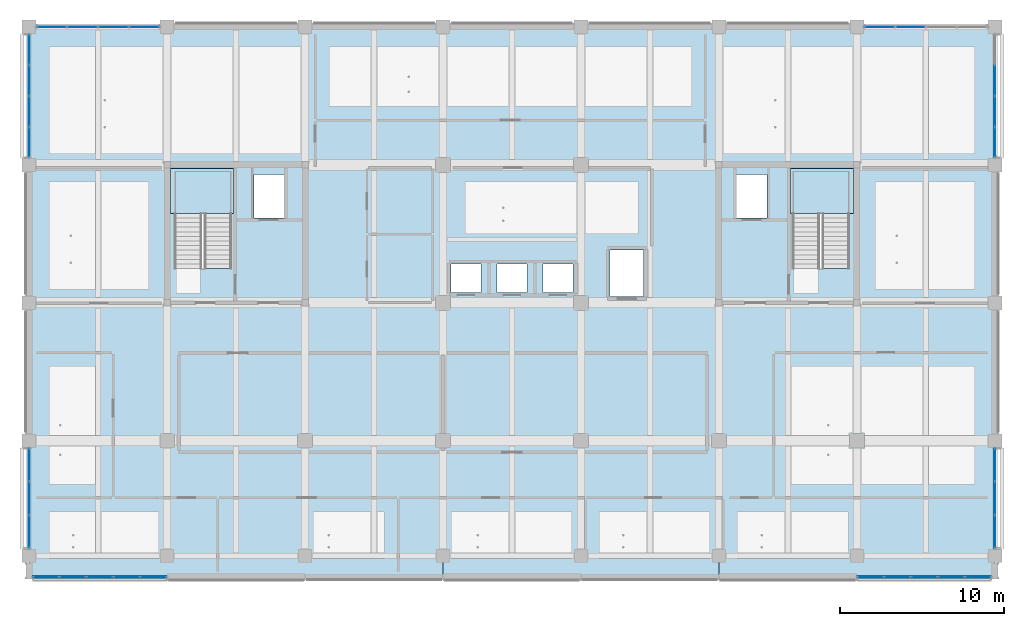
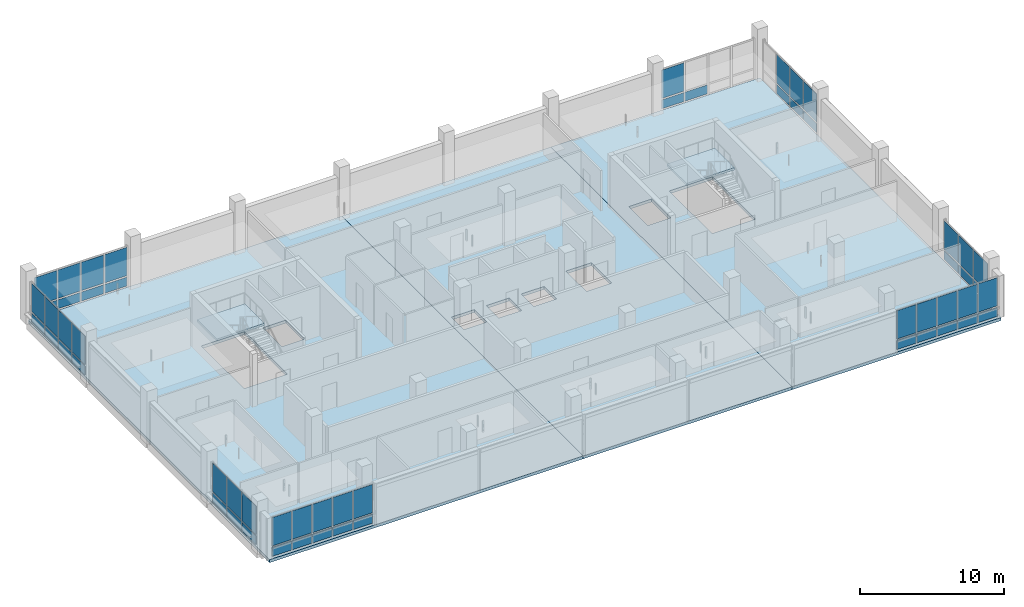
# One storey, part 10 of 36: 57 plates, 5 slabs, 10 elements without a shape of their own.
"""IFC4 building model written with IfcOpenShell, lengths in metres."""

import ifcopenshell
import ifcopenshell.guid

model = None  # the IFC model being written
_history = None  # IfcOwnerHistory: only IFC2X3 demands one
_inside = {}  # id of a spatial element -> (the spatial element, [elements in it])
_under = {}  # id of a project, library or spatial element -> (it, [spatial elements below it])
_declared = {}  # id of a project -> (the project, [libraries it declares])
_typed = {}  # id of a type object -> (the type object, [elements of that type])
_made_of = {}  # id of a material, layer set ... -> (it, [elements and type objects made of it])


def new_model(schema):
    """Start an empty IFC model of exactly this schema.

    Asked for "IFC4X3", IfcOpenShell would pick the latest addendum, in which some entities
    have other attributes; the version numbers below select the first issue.
    IFC2X3 requires an IfcOwnerHistory on every rooted entity: one is made here for all.
    """
    global model, _history
    if schema == "IFC4X3":
        model = ifcopenshell.file(schema_version=(4, 3, 0, 0))
    else:
        model = ifcopenshell.file(schema=schema)
    _inside.clear()
    _under.clear()
    _declared.clear()
    _typed.clear()
    _made_of.clear()
    _history = None
    if model.schema == "IFC2X3":
        org = make("IfcOrganization", Name="unknown")
        user = make(
            "IfcPersonAndOrganization",
            ThePerson=make("IfcPerson", FamilyName="unknown"),
            TheOrganization=org,
        )
        app = make(
            "IfcApplication",
            ApplicationDeveloper=org,
            Version="unknown",
            ApplicationFullName="unknown",
            ApplicationIdentifier="unknown",
        )
        _history = make(
            "IfcOwnerHistory",
            OwningUser=user,
            OwningApplication=app,
            ChangeAction="ADDED",
            CreationDate=0,
        )
    return model


def make(cls, **values):
    """One entity of the class cls with the attributes given. An attribute that is None is left unset."""
    return model.create_entity(
        cls, **{name: value for name, value in values.items() if value is not None}
    )


def rooted(cls, **values):
    """An entity with a GlobalId (a new one), such as an element, a storey or a relation."""
    return make(cls, GlobalId=ifcopenshell.guid.new(), OwnerHistory=_history, **values)


def si_unit(unit_type, name, prefix=None):
    """IfcSIUnit, for example si_unit("LENGTHUNIT", "METRE", prefix="MILLI")."""
    return make("IfcSIUnit", UnitType=unit_type, Prefix=prefix, Name=name)


def assignment(units):
    """IfcUnitAssignment: the units of a project."""
    return None if units is None else make("IfcUnitAssignment", Units=units)


def point(xyz):
    """IfcCartesianPoint."""
    return None if xyz is None else make("IfcCartesianPoint", Coordinates=xyz)


def direction(xyz):
    """IfcDirection."""
    return None if xyz is None else make("IfcDirection", DirectionRatios=xyz)


def frame(location, z_axis=None, x_axis=None):
    """IfcAxis2Placement3D, a coordinate frame: its origin and axes. An axis left out is left unset."""
    return make(
        "IfcAxis2Placement3D",
        Location=point(location),
        Axis=direction(z_axis),
        RefDirection=direction(x_axis),
    )


def frame_2d(location, x_axis=None):
    """IfcAxis2Placement2D, a coordinate frame in the plane: its origin and x axis."""
    return make(
        "IfcAxis2Placement2D", Location=point(location), RefDirection=direction(x_axis)
    )


def origin():
    """The frame at (0, 0, 0) with its axes left unset."""
    return frame((0.0, 0.0, 0.0))


def origin_2d():
    """The frame at (0, 0) in the plane with its x axis left unset."""
    return frame_2d((0.0, 0.0))


def place(relative_to, where):
    """IfcLocalPlacement: puts the frame where relative to a parent placement (None: the world)."""
    return make(
        "IfcLocalPlacement", PlacementRelTo=relative_to, RelativePlacement=where
    )


def context(
    kind, dimensions, precision=None, world=None, true_north=None, identifier=None
):
    """IfcGeometricRepresentationContext, for example the 3D "Model" context."""
    return make(
        "IfcGeometricRepresentationContext",
        ContextIdentifier=identifier,
        ContextType=kind,
        CoordinateSpaceDimension=dimensions,
        Precision=precision,
        WorldCoordinateSystem=world,
        TrueNorth=true_north,
    )


def subcontext(parent, identifier, kind, view, scale=None):
    """IfcGeometricRepresentationSubContext, for example "Body" below "Model"."""
    return make(
        "IfcGeometricRepresentationSubContext",
        ContextIdentifier=identifier,
        ContextType=kind,
        ParentContext=parent,
        TargetScale=scale,
        TargetView=view,
    )


def project(units=None, contexts=None):
    """IfcProject with its units and contexts."""
    return rooted(
        "IfcProject",
        Name="project",
        RepresentationContexts=contexts,
        UnitsInContext=assignment(units),
    )


def spatial(cls, under=None, at=None, **own):
    """A site, building, storey or space (cls), placed at a placement, below another one or the project."""
    s = rooted(cls, ObjectPlacement=at, **own)
    if under is not None:
        _under.setdefault(under.id(), (under, []))[1].append(s)
    return s


def polyline(points):
    """IfcPolyline through the points."""
    return make("IfcPolyline", Points=[point(p) for p in points])


def profile(cls, at=None, kind="AREA", **sizes):
    """A parametric profile (cls). Its sizes go by their IFC names, for example OverallWidth=200.0."""
    return make(cls, ProfileType=kind, Position=at, **sizes)


def rectangle(**sizes):
    """IfcRectangleProfileDef."""
    return profile("IfcRectangleProfileDef", **sizes)


def outline(outer, holes=None, kind="AREA"):
    """IfcArbitraryClosedProfileDef: a profile drawn as a closed curve; with holes, ...WithVoids."""
    if holes is None:
        return make("IfcArbitraryClosedProfileDef", ProfileType=kind, OuterCurve=outer)
    return make(
        "IfcArbitraryProfileDefWithVoids",
        ProfileType=kind,
        OuterCurve=outer,
        InnerCurves=holes,
    )


def extrude(swept, where, along, depth):
    """IfcExtrudedAreaSolid: the profile swept, set in the frame where, extruded along a direction by depth."""
    return make(
        "IfcExtrudedAreaSolid",
        SweptArea=swept,
        Position=where,
        ExtrudedDirection=direction(along),
        Depth=depth,
    )


def shape(context_of_items, identifier, shape_type, items):
    """IfcShapeRepresentation: the items that make up one representation, for example the "Body"."""
    return make(
        "IfcShapeRepresentation",
        ContextOfItems=context_of_items,
        RepresentationIdentifier=identifier,
        RepresentationType=shape_type,
        Items=items,
    )


def material(Name=None, Category=None):
    """IfcMaterial."""
    return make("IfcMaterial", Name=Name, Category=Category)


def layer(
    of_material, thickness, ventilated=None, Name=None, Category=None, Priority=None
):
    """IfcMaterialLayer: one layer of a wall or slab, of a material (None: an air gap)."""
    return make(
        "IfcMaterialLayer",
        Material=of_material,
        LayerThickness=thickness,
        IsVentilated=ventilated,
        Name=Name,
        Category=Category,
        Priority=Priority,
    )


def layer_set(layers, Name=None):
    """IfcMaterialLayerSet."""
    return make("IfcMaterialLayerSet", MaterialLayers=layers, LayerSetName=Name)


def made_of(thing, what):
    """Note that an element or type object is made of a material, layer set ...; save() writes the relation."""
    if what is not None:
        _made_of.setdefault(what.id(), (what, []))[1].append(thing)
    return thing


def type_object(cls, material=None, **own):
    """A type object (cls), such as IfcWallType, which elements share."""
    return made_of(rooted(cls, **own), material)


def element(
    cls,
    number,
    at=None,
    inside=None,
    cuts=None,
    type_object=None,
    material=None,
    context=None,
    identifier="Body",
    shape_type=None,
    held_by="IfcProductDefinitionShape",
    body=None,
    shapes=None,
    **own,
):
    """One element of the class cls, such as IfcWall. Its Tag is "e" and its number.

    at: its placement. inside: the storey or other place that contains it. cuts: it is an
    opening in that element (IfcRelVoidsElement). A single representation is given by context,
    identifier, shape_type and body (its items); several are given by shapes. held_by: the class
    of the entity that holds the representations. save() writes the other relations.
    """
    e = rooted(cls, Tag="e%d" % number, ObjectPlacement=at, **own)
    if body is not None:
        shapes = [shape(context, identifier, shape_type, body)]
    if shapes is not None:
        e.Representation = make(held_by, Representations=shapes)
    if inside is not None:
        _inside.setdefault(inside.id(), (inside, []))[1].append(e)
    if cuts is not None:
        rooted(
            "IfcRelVoidsElement", RelatingBuildingElement=cuts, RelatedOpeningElement=e
        )
    if type_object is not None:
        _typed.setdefault(type_object.id(), (type_object, []))[1].append(e)
    return made_of(e, material)


def aggregate(whole, parts):
    """IfcRelAggregates: a whole, such as a stair, and the parts it consists of."""
    return rooted("IfcRelAggregates", RelatingObject=whole, RelatedObjects=parts)


def save(model, path):
    """Write the relations noted so far, then the file.

    IfcRelAggregates (storeys below a building ...), IfcRelContainedInSpatialStructure (elements
    in a storey), IfcRelDefinesByType, IfcRelAssociatesMaterial and IfcRelDeclares: one each for
    every whole, place, type object, material and project.
    """
    for whole, parts in _under.values():
        aggregate(whole, parts)
    for where, things in _inside.values():
        rooted(
            "IfcRelContainedInSpatialStructure",
            RelatedElements=things,
            RelatingStructure=where,
        )
    for kind, things in _typed.values():
        rooted("IfcRelDefinesByType", RelatedObjects=things, RelatingType=kind)
    for what, things in _made_of.values():
        rooted("IfcRelAssociatesMaterial", RelatedObjects=things, RelatingMaterial=what)
    for by, libraries in _declared.values():
        rooted("IfcRelDeclares", RelatingContext=by, RelatedDefinitions=libraries)
    model.write(path)


model = new_model("IFC4")

# Units and contexts
model_context = context("Model", 3, precision=1e-05, world=origin(), true_north=direction((0.0, 1.0)))
body_context = subcontext(model_context, "Body", "Model", "MODEL_VIEW")
ifc_project = project(units=[si_unit("LENGTHUNIT", "METRE"), si_unit("AREAUNIT", "SQUARE_METRE"), si_unit("VOLUMEUNIT", "CUBIC_METRE"), si_unit("PLANEANGLEUNIT", "RADIAN"), si_unit("MASSUNIT", "GRAM", prefix="KILO")], contexts=[model_context])

# Site, building, storey
site_placement = place(None, origin())
site = spatial("IfcSite", under=ifc_project, at=site_placement, CompositionType="ELEMENT")
building_placement = place(site_placement, origin())
building = spatial("IfcBuilding", under=site, at=building_placement, Name="Telukmera Botanical Conservatory", CompositionType="ELEMENT")
storey_placement = place(building_placement, frame((0.0, 0.0, 24.0)))
storey = spatial("IfcBuildingStorey", under=building, at=storey_placement, Name="L05", CompositionType="ELEMENT", Elevation=24.0)

# Stair, slab
ifc_material_1 = material(Name="Concrete C40/50", Category="concrete")
stair_type = type_object("IfcStairType", Name="ST-ESC-4500", PredefinedType="HALF_TURN_STAIR", material=ifc_material_1)
stair_1_placement = place(storey_placement, origin())
stair_1 = element("IfcStair", 1, at=stair_1_placement, inside=storey, type_object=stair_type, Name="L05 Protected Escape Stair ST1", PredefinedType="HALF_TURN_STAIR")
ifc_layer_1 = layer(ifc_material_1, 0.199951171875)
ifc_layer_set_1 = layer_set([ifc_layer_1], Name="Concrete C40/50")
slab_type_1 = type_object("IfcSlabType", Name="SL-LAND-200", PredefinedType="LANDING", material=ifc_layer_set_1)
slab_1_placement = place(storey_placement, frame((0.0, 0.0, 2.050048828125)))
slab_1 = element("IfcSlab", 2, at=slab_1_placement, type_object=slab_type_1, Name="ST1 landing 1", PredefinedType="LANDING", context=body_context, shape_type="SweptSolid", body=[
    extrude(outline(polyline([(59.0048828125, 31.449951171875), (62.844970703125, 31.449951171875), (62.844970703125, 34.195068359375), (59.0048828125, 34.195068359375), (59.0048828125, 31.449951171875)])), origin(), (0.0, 0.0, 1.0), 0.199951171875),
])
aggregate(stair_1, [slab_1])

stair_2_placement = place(storey_placement, origin())
stair_2 = element("IfcStair", 3, at=stair_2_placement, inside=storey, type_object=stair_type, Name="L05 Protected Escape Stair ST2", PredefinedType="HALF_TURN_STAIR")
slab_2_placement = place(storey_placement, frame((0.0, 0.0, 2.050048828125)))
slab_2 = element("IfcSlab", 4, at=slab_2_placement, type_object=slab_type_1, Name="ST2 landing 1", PredefinedType="LANDING", context=body_context, shape_type="SweptSolid", body=[
    extrude(outline(polyline([(96.7548828125, 31.449951171875), (100.594970703125, 31.449951171875), (100.594970703125, 34.195068359375), (96.7548828125, 34.195068359375), (96.7548828125, 31.449951171875)])), origin(), (0.0, 0.0, 1.0), 0.199951171875),
])
aggregate(stair_2, [slab_2])

# Slabs
ifc_layer_2 = layer(ifc_material_1, 0.25)
ifc_layer_set_2 = layer_set([ifc_layer_2], Name="Concrete C40/50")
slab_type_2 = type_object("IfcSlabType", Name="Slab_FS25", PredefinedType="FLOOR", material=ifc_layer_set_2)
slab_3_placement = place(storey_placement, frame((0.0, 0.0, -0.25)))
element("IfcSlab", 5, at=slab_3_placement, inside=storey, type_object=slab_type_2, Name="Tower Floor Slab L05 (WEST)", PredefinedType="FLOOR", context=body_context, shape_type="SweptSolid", body=[
    extrude(outline(polyline([(50.39990234375, 9.199951171875), (75.60009765625, 9.199951171875), (75.60009765625, 42.800048828125), (50.39990234375, 42.800048828125), (50.39990234375, 9.199951171875)]), holes=[polyline([(62.72998046875, 28.093017578125), (62.72998046875, 34.050048828125), (59.25, 34.050048828125), (59.25, 28.093017578125), (62.72998046875, 28.093017578125)]), polyline([(64.080078125, 31.179931640625), (65.919921875, 31.179931640625), (65.919921875, 33.820068359375), (64.080078125, 33.820068359375), (64.080078125, 31.179931640625)])]), origin(), (0.0, 0.0, 1.0), 0.25),
])
slab_4_placement = place(storey_placement, frame((0.0, 0.0, -0.25)))
element("IfcSlab", 6, at=slab_4_placement, inside=storey, type_object=slab_type_2, Name="Tower Floor Slab L05 (CENT)", PredefinedType="FLOOR", context=body_context, shape_type="SweptSolid", body=[
    extrude(outline(polyline([(75.60009765625, 9.199951171875), (92.39990234375, 9.199951171875), (92.39990234375, 42.800048828125), (75.60009765625, 42.800048828125), (75.60009765625, 9.199951171875)]), holes=[polyline([(85.780029296875, 26.3798828125), (87.820068359375, 26.3798828125), (87.820068359375, 29.219970703125), (85.780029296875, 29.219970703125), (85.780029296875, 26.3798828125)]), polyline([(76.080078125, 26.6298828125), (77.919921875, 26.6298828125), (77.919921875, 28.3701171875), (76.080078125, 28.3701171875), (76.080078125, 26.6298828125)]), polyline([(78.8798828125, 26.6298828125), (80.719970703125, 26.6298828125), (80.719970703125, 28.3701171875), (78.8798828125, 28.3701171875), (78.8798828125, 26.6298828125)]), polyline([(81.679931640625, 26.6298828125), (83.52001953125, 26.6298828125), (83.52001953125, 28.3701171875), (81.679931640625, 28.3701171875), (81.679931640625, 26.6298828125)])]), origin(), (0.0, 0.0, 1.0), 0.25),
])
slab_5_placement = place(storey_placement, frame((0.0, 0.0, -0.25)))
element("IfcSlab", 7, at=slab_5_placement, inside=storey, type_object=slab_type_2, Name="Tower Floor Slab L05 (EAST)", PredefinedType="FLOOR", context=body_context, shape_type="SweptSolid", body=[
    extrude(outline(polyline([(92.39990234375, 9.199951171875), (109.199951171875, 9.199951171875), (109.199951171875, 42.800048828125), (92.39990234375, 42.800048828125), (92.39990234375, 9.199951171875)]), holes=[polyline([(100.35009765625, 28.093017578125), (100.35009765625, 34.050048828125), (96.8701171875, 34.050048828125), (96.8701171875, 28.093017578125), (100.35009765625, 28.093017578125)]), polyline([(93.47998046875, 31.179931640625), (95.320068359375, 31.179931640625), (95.320068359375, 33.820068359375), (93.47998046875, 33.820068359375), (93.47998046875, 31.179931640625)])]), origin(), (0.0, 0.0, 1.0), 0.25),
])

# Curtain wall, plates
ifc_material_2 = material(Name="Anodised aluminium 6063-T6", Category="aluminium")
ifc_layer_3 = layer(ifc_material_2, 0.179931640625)
ifc_layer_set_3 = layer_set([ifc_layer_3], Name="Anodised aluminium 6063-T6")
curtain_wall_type = type_object("IfcCurtainWallType", Name="Tower Herbarium Curation Corner Curtain Wall", PredefinedType="USERDEFINED", material=ifc_layer_set_3)
curtain_wall_1_placement = place(storey_placement, origin())
curtain_wall_1 = element("IfcCurtainWall", 8, at=curtain_wall_1_placement, inside=storey, type_object=curtain_wall_type, Name="Unitised Curtain Wall CW14 V4:L05:S1", ObjectType="UNITISED CURTAIN WALL", PredefinedType="USERDEFINED")
ifc_material_3 = material(Name="Spectrally selective low-E double glazing", Category="glass")
ifc_layer_4 = layer(ifc_material_3, 0.0380859375)
ifc_layer_set_4 = layer_set([ifc_layer_4], Name="Spectrally selective low-E double glazing")
plate_type = type_object("IfcPlateType", Name="Solar Control Fritted Spandrel Glazing Panel 38", PredefinedType="CURTAIN_PANEL", material=ifc_layer_set_4)
plate_1_placement = place(storey_placement, frame((51.428955078125, 9.320068359375, 0.130126953125), z_axis=(0.0, 0.0, 1.0), x_axis=(1.0, 0.0, 0.0)))
plate_1 = element("IfcPlate", 9, at=plate_1_placement, type_object=plate_type, Name="CW14 panel 1.1", PredefinedType="CURTAIN_PANEL", context=body_context, shape_type="SweptSolid", body=[
    extrude(rectangle(XDim=1.543701171875, YDim=0.0380859375, at=origin_2d()), origin(), (0.0, 0.0, 1.0), 0.7548828125),
])
plate_2_placement = place(storey_placement, frame((51.428955078125, 9.320068359375, 1.01513671875), z_axis=(0.0, 0.0, 1.0), x_axis=(1.0, 0.0, 0.0)))
plate_2 = element("IfcPlate", 10, at=plate_2_placement, type_object=plate_type, Name="CW14 panel 1.2", PredefinedType="CURTAIN_PANEL", context=body_context, shape_type="SweptSolid", body=[
    extrude(rectangle(XDim=1.543701171875, YDim=0.0380859375, at=origin_2d()), origin(), (0.0, 0.0, 1.0), 2.405029296875),
])
plate_3_placement = place(storey_placement, frame((53.0537109375, 9.320068359375, 0.130126953125), z_axis=(0.0, 0.0, 1.0), x_axis=(1.0, 0.0, 0.0)))
plate_3 = element("IfcPlate", 11, at=plate_3_placement, type_object=plate_type, Name="CW14 panel 2.1", PredefinedType="CURTAIN_PANEL", context=body_context, shape_type="SweptSolid", body=[
    extrude(rectangle(XDim=1.576171875, YDim=0.0380859375, at=origin_2d()), origin(), (0.0, 0.0, 1.0), 0.7548828125),
])
plate_4_placement = place(storey_placement, frame((53.0537109375, 9.320068359375, 1.01513671875), z_axis=(0.0, 0.0, 1.0), x_axis=(1.0, 0.0, 0.0)))
plate_4 = element("IfcPlate", 12, at=plate_4_placement, type_object=plate_type, Name="CW14 panel 2.2", PredefinedType="CURTAIN_PANEL", context=body_context, shape_type="SweptSolid", body=[
    extrude(rectangle(XDim=1.576171875, YDim=0.0380859375, at=origin_2d()), origin(), (0.0, 0.0, 1.0), 2.405029296875),
])
plate_5_placement = place(storey_placement, frame((54.695068359375, 9.320068359375, 0.130126953125), z_axis=(0.0, 0.0, 1.0), x_axis=(1.0, 0.0, 0.0)))
plate_5 = element("IfcPlate", 13, at=plate_5_placement, type_object=plate_type, Name="CW14 panel 3.1", PredefinedType="CURTAIN_PANEL", context=body_context, shape_type="SweptSolid", body=[
    extrude(rectangle(XDim=1.576171875, YDim=0.0380859375, at=origin_2d()), origin(), (0.0, 0.0, 1.0), 0.7548828125),
])
plate_6_placement = place(storey_placement, frame((54.695068359375, 9.320068359375, 1.01513671875), z_axis=(0.0, 0.0, 1.0), x_axis=(1.0, 0.0, 0.0)))
plate_6 = element("IfcPlate", 14, at=plate_6_placement, type_object=plate_type, Name="CW14 panel 3.2", PredefinedType="CURTAIN_PANEL", context=body_context, shape_type="SweptSolid", body=[
    extrude(rectangle(XDim=1.576171875, YDim=0.0380859375, at=origin_2d()), origin(), (0.0, 0.0, 1.0), 2.405029296875),
])
plate_7_placement = place(storey_placement, frame((56.336181640625, 9.320068359375, 0.130126953125), z_axis=(0.0, 0.0, 1.0), x_axis=(1.0, 0.0, 0.0)))
plate_7 = element("IfcPlate", 15, at=plate_7_placement, type_object=plate_type, Name="CW14 panel 4.1", PredefinedType="CURTAIN_PANEL", context=body_context, shape_type="SweptSolid", body=[
    extrude(rectangle(XDim=1.576171875, YDim=0.0380859375, at=origin_2d()), origin(), (0.0, 0.0, 1.0), 0.7548828125),
])
plate_8_placement = place(storey_placement, frame((56.336181640625, 9.320068359375, 1.01513671875), z_axis=(0.0, 0.0, 1.0), x_axis=(1.0, 0.0, 0.0)))
plate_8 = element("IfcPlate", 16, at=plate_8_placement, type_object=plate_type, Name="CW14 panel 4.2", PredefinedType="CURTAIN_PANEL", context=body_context, shape_type="SweptSolid", body=[
    extrude(rectangle(XDim=1.576171875, YDim=0.0380859375, at=origin_2d()), origin(), (0.0, 0.0, 1.0), 2.405029296875),
])
plate_9_placement = place(storey_placement, frame((57.961181640625, 9.320068359375, 0.130126953125), z_axis=(0.0, 0.0, 1.0), x_axis=(1.0, 0.0, 0.0)))
plate_9 = element("IfcPlate", 17, at=plate_9_placement, type_object=plate_type, Name="CW14 panel 5.1", PredefinedType="CURTAIN_PANEL", context=body_context, shape_type="SweptSolid", body=[
    extrude(rectangle(XDim=1.543701171875, YDim=0.0380859375, at=origin_2d()), origin(), (0.0, 0.0, 1.0), 0.7548828125),
])
plate_10_placement = place(storey_placement, frame((57.961181640625, 9.320068359375, 1.01513671875), z_axis=(0.0, 0.0, 1.0), x_axis=(1.0, 0.0, 0.0)))
plate_10 = element("IfcPlate", 18, at=plate_10_placement, type_object=plate_type, Name="CW14 panel 5.2", PredefinedType="CURTAIN_PANEL", context=body_context, shape_type="SweptSolid", body=[
    extrude(rectangle(XDim=1.543701171875, YDim=0.0380859375, at=origin_2d()), origin(), (0.0, 0.0, 1.0), 2.405029296875),
])
aggregate(curtain_wall_1, [plate_1, plate_2, plate_3, plate_4, plate_5, plate_6, plate_7, plate_8, plate_9, plate_10])

curtain_wall_2_placement = place(storey_placement, origin())
curtain_wall_2 = element("IfcCurtainWall", 19, at=curtain_wall_2_placement, inside=storey, type_object=curtain_wall_type, Name="Unitised Curtain Wall CW14 V4:L05:S7", ObjectType="UNITISED CURTAIN WALL", PredefinedType="USERDEFINED")
plate_11_placement = place(storey_placement, frame((101.638916015625, 9.320068359375, 0.130126953125), z_axis=(0.0, 0.0, 1.0), x_axis=(1.0, 0.0, 0.0)))
plate_11 = element("IfcPlate", 20, at=plate_11_placement, type_object=plate_type, Name="CW14 panel 1.1", PredefinedType="CURTAIN_PANEL", context=body_context, shape_type="SweptSolid", body=[
    extrude(rectangle(XDim=1.543701171875, YDim=0.0380859375, at=origin_2d()), origin(), (0.0, 0.0, 1.0), 0.7548828125),
])
plate_12_placement = place(storey_placement, frame((101.638916015625, 9.320068359375, 1.01513671875), z_axis=(0.0, 0.0, 1.0), x_axis=(1.0, 0.0, 0.0)))
plate_12 = element("IfcPlate", 21, at=plate_12_placement, type_object=plate_type, Name="CW14 panel 1.2", PredefinedType="CURTAIN_PANEL", context=body_context, shape_type="SweptSolid", body=[
    extrude(rectangle(XDim=1.543701171875, YDim=0.0380859375, at=origin_2d()), origin(), (0.0, 0.0, 1.0), 2.405029296875),
])
plate_13_placement = place(storey_placement, frame((103.263916015625, 9.320068359375, 0.130126953125), z_axis=(0.0, 0.0, 1.0), x_axis=(1.0, 0.0, 0.0)))
plate_13 = element("IfcPlate", 22, at=plate_13_placement, type_object=plate_type, Name="CW14 panel 2.1", PredefinedType="CURTAIN_PANEL", context=body_context, shape_type="SweptSolid", body=[
    extrude(rectangle(XDim=1.576171875, YDim=0.0380859375, at=origin_2d()), origin(), (0.0, 0.0, 1.0), 0.7548828125),
])
plate_14_placement = place(storey_placement, frame((103.263916015625, 9.320068359375, 1.01513671875), z_axis=(0.0, 0.0, 1.0), x_axis=(1.0, 0.0, 0.0)))
plate_14 = element("IfcPlate", 23, at=plate_14_placement, type_object=plate_type, Name="CW14 panel 2.2", PredefinedType="CURTAIN_PANEL", context=body_context, shape_type="SweptSolid", body=[
    extrude(rectangle(XDim=1.576171875, YDim=0.0380859375, at=origin_2d()), origin(), (0.0, 0.0, 1.0), 2.405029296875),
])
plate_15_placement = place(storey_placement, frame((104.905029296875, 9.320068359375, 0.130126953125), z_axis=(0.0, 0.0, 1.0), x_axis=(1.0, 0.0, 0.0)))
plate_15 = element("IfcPlate", 24, at=plate_15_placement, type_object=plate_type, Name="CW14 panel 3.1", PredefinedType="CURTAIN_PANEL", context=body_context, shape_type="SweptSolid", body=[
    extrude(rectangle(XDim=1.576171875, YDim=0.0380859375, at=origin_2d()), origin(), (0.0, 0.0, 1.0), 0.7548828125),
])
plate_16_placement = place(storey_placement, frame((104.905029296875, 9.320068359375, 1.01513671875), z_axis=(0.0, 0.0, 1.0), x_axis=(1.0, 0.0, 0.0)))
plate_16 = element("IfcPlate", 25, at=plate_16_placement, type_object=plate_type, Name="CW14 panel 3.2", PredefinedType="CURTAIN_PANEL", context=body_context, shape_type="SweptSolid", body=[
    extrude(rectangle(XDim=1.576171875, YDim=0.0380859375, at=origin_2d()), origin(), (0.0, 0.0, 1.0), 2.405029296875),
])
plate_17_placement = place(storey_placement, frame((106.546142578125, 9.320068359375, 0.130126953125), z_axis=(0.0, 0.0, 1.0), x_axis=(1.0, 0.0, 0.0)))
plate_17 = element("IfcPlate", 26, at=plate_17_placement, type_object=plate_type, Name="CW14 panel 4.1", PredefinedType="CURTAIN_PANEL", context=body_context, shape_type="SweptSolid", body=[
    extrude(rectangle(XDim=1.576171875, YDim=0.0380859375, at=origin_2d()), origin(), (0.0, 0.0, 1.0), 0.7548828125),
])
plate_18_placement = place(storey_placement, frame((106.546142578125, 9.320068359375, 1.01513671875), z_axis=(0.0, 0.0, 1.0), x_axis=(1.0, 0.0, 0.0)))
plate_18 = element("IfcPlate", 27, at=plate_18_placement, type_object=plate_type, Name="CW14 panel 4.2", PredefinedType="CURTAIN_PANEL", context=body_context, shape_type="SweptSolid", body=[
    extrude(rectangle(XDim=1.576171875, YDim=0.0380859375, at=origin_2d()), origin(), (0.0, 0.0, 1.0), 2.405029296875),
])
plate_19_placement = place(storey_placement, frame((108.171142578125, 9.320068359375, 0.130126953125), z_axis=(0.0, 0.0, 1.0), x_axis=(1.0, 0.0, 0.0)))
plate_19 = element("IfcPlate", 28, at=plate_19_placement, type_object=plate_type, Name="CW14 panel 5.1", PredefinedType="CURTAIN_PANEL", context=body_context, shape_type="SweptSolid", body=[
    extrude(rectangle(XDim=1.543701171875, YDim=0.0380859375, at=origin_2d()), origin(), (0.0, 0.0, 1.0), 0.7548828125),
])
plate_20_placement = place(storey_placement, frame((108.171142578125, 9.320068359375, 1.01513671875), z_axis=(0.0, 0.0, 1.0), x_axis=(1.0, 0.0, 0.0)))
plate_20 = element("IfcPlate", 29, at=plate_20_placement, type_object=plate_type, Name="CW14 panel 5.2", PredefinedType="CURTAIN_PANEL", context=body_context, shape_type="SweptSolid", body=[
    extrude(rectangle(XDim=1.543701171875, YDim=0.0380859375, at=origin_2d()), origin(), (0.0, 0.0, 1.0), 2.405029296875),
])
aggregate(curtain_wall_2, [plate_11, plate_12, plate_13, plate_14, plate_15, plate_16, plate_17, plate_18, plate_19, plate_20])

curtain_wall_3_placement = place(storey_placement, origin())
curtain_wall_3 = element("IfcCurtainWall", 30, at=curtain_wall_3_placement, inside=storey, type_object=curtain_wall_type, Name="Unitised Curtain Wall CW14 V4:L05:N1", ObjectType="UNITISED CURTAIN WALL", PredefinedType="USERDEFINED")
plate_21_placement = place(storey_placement, frame((51.78662109375, 42.800048828125, 0.130126953125), z_axis=(0.0, 0.0, 1.0), x_axis=(1.0, 0.0, 0.0)))
plate_21 = element("IfcPlate", 31, at=plate_21_placement, type_object=plate_type, Name="CW14 panel 1.1", PredefinedType="CURTAIN_PANEL", context=body_context, shape_type="SweptSolid", body=[
    extrude(rectangle(XDim=1.7890625, YDim=0.0380859375, at=origin_2d()), origin(), (0.0, 0.0, 1.0), 0.7548828125),
])
plate_22_placement = place(storey_placement, frame((51.78662109375, 42.800048828125, 1.01513671875), z_axis=(0.0, 0.0, 1.0), x_axis=(1.0, 0.0, 0.0)))
plate_22 = element("IfcPlate", 32, at=plate_22_placement, type_object=plate_type, Name="CW14 panel 1.2", PredefinedType="CURTAIN_PANEL", context=body_context, shape_type="SweptSolid", body=[
    extrude(rectangle(XDim=1.7890625, YDim=0.0380859375, at=origin_2d()), origin(), (0.0, 0.0, 1.0), 2.405029296875),
])
plate_23_placement = place(storey_placement, frame((53.65673828125, 42.800048828125, 0.130126953125), z_axis=(0.0, 0.0, 1.0), x_axis=(1.0, 0.0, 0.0)))
plate_23 = element("IfcPlate", 33, at=plate_23_placement, type_object=plate_type, Name="CW14 panel 2.1", PredefinedType="CURTAIN_PANEL", context=body_context, shape_type="SweptSolid", body=[
    extrude(rectangle(XDim=1.821533203125, YDim=0.0380859375, at=origin_2d()), origin(), (0.0, 0.0, 1.0), 0.7548828125),
])
plate_24_placement = place(storey_placement, frame((53.65673828125, 42.800048828125, 1.01513671875), z_axis=(0.0, 0.0, 1.0), x_axis=(1.0, 0.0, 0.0)))
plate_24 = element("IfcPlate", 34, at=plate_24_placement, type_object=plate_type, Name="CW14 panel 2.2", PredefinedType="CURTAIN_PANEL", context=body_context, shape_type="SweptSolid", body=[
    extrude(rectangle(XDim=1.821533203125, YDim=0.0380859375, at=origin_2d()), origin(), (0.0, 0.0, 1.0), 2.405029296875),
])
plate_25_placement = place(storey_placement, frame((55.543212890625, 42.800048828125, 0.130126953125), z_axis=(0.0, 0.0, 1.0), x_axis=(1.0, 0.0, 0.0)))
plate_25 = element("IfcPlate", 35, at=plate_25_placement, type_object=plate_type, Name="CW14 panel 3.1", PredefinedType="CURTAIN_PANEL", context=body_context, shape_type="SweptSolid", body=[
    extrude(rectangle(XDim=1.821533203125, YDim=0.0380859375, at=origin_2d()), origin(), (0.0, 0.0, 1.0), 0.7548828125),
])
plate_26_placement = place(storey_placement, frame((55.543212890625, 42.800048828125, 1.01513671875), z_axis=(0.0, 0.0, 1.0), x_axis=(1.0, 0.0, 0.0)))
plate_26 = element("IfcPlate", 36, at=plate_26_placement, type_object=plate_type, Name="CW14 panel 3.2", PredefinedType="CURTAIN_PANEL", context=body_context, shape_type="SweptSolid", body=[
    extrude(rectangle(XDim=1.821533203125, YDim=0.0380859375, at=origin_2d()), origin(), (0.0, 0.0, 1.0), 2.405029296875),
])
plate_27_placement = place(storey_placement, frame((57.41357421875, 42.800048828125, 0.130126953125), z_axis=(0.0, 0.0, 1.0), x_axis=(1.0, 0.0, 0.0)))
plate_27 = element("IfcPlate", 37, at=plate_27_placement, type_object=plate_type, Name="CW14 panel 4.1", PredefinedType="CURTAIN_PANEL", context=body_context, shape_type="SweptSolid", body=[
    extrude(rectangle(XDim=1.7890625, YDim=0.0380859375, at=origin_2d()), origin(), (0.0, 0.0, 1.0), 0.7548828125),
])
plate_28_placement = place(storey_placement, frame((57.41357421875, 42.800048828125, 1.01513671875), z_axis=(0.0, 0.0, 1.0), x_axis=(1.0, 0.0, 0.0)))
plate_28 = element("IfcPlate", 38, at=plate_28_placement, type_object=plate_type, Name="CW14 panel 4.2", PredefinedType="CURTAIN_PANEL", context=body_context, shape_type="SweptSolid", body=[
    extrude(rectangle(XDim=1.7890625, YDim=0.0380859375, at=origin_2d()), origin(), (0.0, 0.0, 1.0), 2.405029296875),
])
aggregate(curtain_wall_3, [plate_21, plate_22, plate_23, plate_24, plate_25, plate_26, plate_27, plate_28])

curtain_wall_4_placement = place(storey_placement, origin())
curtain_wall_4 = element("IfcCurtainWall", 39, at=curtain_wall_4_placement, inside=storey, type_object=curtain_wall_type, Name="Unitised Curtain Wall CW14 V4:L05:N7", ObjectType="UNITISED CURTAIN WALL", PredefinedType="USERDEFINED")
plate_29_placement = place(storey_placement, frame((102.1865234375, 42.800048828125, 0.130126953125), z_axis=(0.0, 0.0, 1.0), x_axis=(1.0, 0.0, 0.0)))
plate_29 = element("IfcPlate", 40, at=plate_29_placement, type_object=plate_type, Name="CW14 panel 1.1", PredefinedType="CURTAIN_PANEL", context=body_context, shape_type="SweptSolid", body=[
    extrude(rectangle(XDim=1.7890625, YDim=0.0380859375, at=origin_2d()), origin(), (0.0, 0.0, 1.0), 0.7548828125),
])
plate_30_placement = place(storey_placement, frame((102.1865234375, 42.800048828125, 1.01513671875), z_axis=(0.0, 0.0, 1.0), x_axis=(1.0, 0.0, 0.0)))
plate_30 = element("IfcPlate", 41, at=plate_30_placement, type_object=plate_type, Name="CW14 panel 1.2", PredefinedType="CURTAIN_PANEL", context=body_context, shape_type="SweptSolid", body=[
    extrude(rectangle(XDim=1.7890625, YDim=0.0380859375, at=origin_2d()), origin(), (0.0, 0.0, 1.0), 2.405029296875),
])
plate_31_placement = place(storey_placement, frame((104.056640625, 42.800048828125, 0.130126953125), z_axis=(0.0, 0.0, 1.0), x_axis=(1.0, 0.0, 0.0)))
plate_31 = element("IfcPlate", 42, at=plate_31_placement, type_object=plate_type, Name="CW14 panel 2.1", PredefinedType="CURTAIN_PANEL", context=body_context, shape_type="SweptSolid", body=[
    extrude(rectangle(XDim=1.821533203125, YDim=0.0380859375, at=origin_2d()), origin(), (0.0, 0.0, 1.0), 0.7548828125),
])
aggregate(curtain_wall_4, [plate_29, plate_30, plate_31])

curtain_wall_5_placement = place(storey_placement, origin())
curtain_wall_5 = element("IfcCurtainWall", 43, at=curtain_wall_5_placement, inside=storey, type_object=curtain_wall_type, Name="Unitised Curtain Wall CW14 V4:L05:W1", ObjectType="UNITISED CURTAIN WALL", PredefinedType="USERDEFINED")
plate_32_placement = place(storey_placement, frame((50.39990234375, 12.067626953125, 0.130126953125), z_axis=(0.0, 0.0, 1.0), x_axis=(0.0, 1.0, 0.0)))
plate_32 = element("IfcPlate", 44, at=plate_32_placement, type_object=plate_type, Name="CW14 panel 1.1", PredefinedType="CURTAIN_PANEL", context=body_context, shape_type="SweptSolid", body=[
    extrude(rectangle(XDim=1.951171875, YDim=0.0380859375, at=origin_2d()), origin(), (0.0, 0.0, 1.0), 0.7548828125),
])
plate_33_placement = place(storey_placement, frame((50.39990234375, 12.067626953125, 1.01513671875), z_axis=(0.0, 0.0, 1.0), x_axis=(0.0, 1.0, 0.0)))
plate_33 = element("IfcPlate", 45, at=plate_33_placement, type_object=plate_type, Name="CW14 panel 1.2", PredefinedType="CURTAIN_PANEL", context=body_context, shape_type="SweptSolid", body=[
    extrude(rectangle(XDim=1.951171875, YDim=0.0380859375, at=origin_2d()), origin(), (0.0, 0.0, 1.0), 2.405029296875),
])
plate_34_placement = place(storey_placement, frame((50.39990234375, 14.10009765625, 0.130126953125), z_axis=(0.0, 0.0, 1.0), x_axis=(0.0, 1.0, 0.0)))
plate_34 = element("IfcPlate", 46, at=plate_34_placement, type_object=plate_type, Name="CW14 panel 2.1", PredefinedType="CURTAIN_PANEL", context=body_context, shape_type="SweptSolid", body=[
    extrude(rectangle(XDim=1.983642578125, YDim=0.0380859375, at=origin_2d()), origin(), (0.0, 0.0, 1.0), 0.7548828125),
])
plate_35_placement = place(storey_placement, frame((50.39990234375, 14.10009765625, 1.01513671875), z_axis=(0.0, 0.0, 1.0), x_axis=(0.0, 1.0, 0.0)))
plate_35 = element("IfcPlate", 47, at=plate_35_placement, type_object=plate_type, Name="CW14 panel 2.2", PredefinedType="CURTAIN_PANEL", context=body_context, shape_type="SweptSolid", body=[
    extrude(rectangle(XDim=1.983642578125, YDim=0.0380859375, at=origin_2d()), origin(), (0.0, 0.0, 1.0), 2.405029296875),
])
plate_36_placement = place(storey_placement, frame((50.39990234375, 16.13232421875, 0.130126953125), z_axis=(0.0, 0.0, 1.0), x_axis=(0.0, 1.0, 0.0)))
plate_36 = element("IfcPlate", 48, at=plate_36_placement, type_object=plate_type, Name="CW14 panel 3.1", PredefinedType="CURTAIN_PANEL", context=body_context, shape_type="SweptSolid", body=[
    extrude(rectangle(XDim=1.951171875, YDim=0.0380859375, at=origin_2d()), origin(), (0.0, 0.0, 1.0), 0.7548828125),
])
plate_37_placement = place(storey_placement, frame((50.39990234375, 16.13232421875, 1.01513671875), z_axis=(0.0, 0.0, 1.0), x_axis=(0.0, 1.0, 0.0)))
plate_37 = element("IfcPlate", 49, at=plate_37_placement, type_object=plate_type, Name="CW14 panel 3.2", PredefinedType="CURTAIN_PANEL", context=body_context, shape_type="SweptSolid", body=[
    extrude(rectangle(XDim=1.951171875, YDim=0.0380859375, at=origin_2d()), origin(), (0.0, 0.0, 1.0), 2.405029296875),
])
aggregate(curtain_wall_5, [plate_32, plate_33, plate_34, plate_35, plate_36, plate_37])

curtain_wall_6_placement = place(storey_placement, origin())
curtain_wall_6 = element("IfcCurtainWall", 50, at=curtain_wall_6_placement, inside=storey, type_object=curtain_wall_type, Name="Unitised Curtain Wall CW14 V4:L05:E1", ObjectType="UNITISED CURTAIN WALL", PredefinedType="USERDEFINED")
plate_38_placement = place(storey_placement, frame((109.199951171875, 12.067626953125, 0.130126953125), z_axis=(0.0, 0.0, 1.0), x_axis=(0.0, 1.0, 0.0)))
plate_38 = element("IfcPlate", 51, at=plate_38_placement, type_object=plate_type, Name="CW14 panel 1.1", PredefinedType="CURTAIN_PANEL", context=body_context, shape_type="SweptSolid", body=[
    extrude(rectangle(XDim=1.951171875, YDim=0.0380859375, at=origin_2d()), origin(), (0.0, 0.0, 1.0), 0.7548828125),
])
plate_39_placement = place(storey_placement, frame((109.199951171875, 12.067626953125, 1.01513671875), z_axis=(0.0, 0.0, 1.0), x_axis=(0.0, 1.0, 0.0)))
plate_39 = element("IfcPlate", 52, at=plate_39_placement, type_object=plate_type, Name="CW14 panel 1.2", PredefinedType="CURTAIN_PANEL", context=body_context, shape_type="SweptSolid", body=[
    extrude(rectangle(XDim=1.951171875, YDim=0.0380859375, at=origin_2d()), origin(), (0.0, 0.0, 1.0), 2.405029296875),
])
plate_40_placement = place(storey_placement, frame((109.199951171875, 14.10009765625, 0.130126953125), z_axis=(0.0, 0.0, 1.0), x_axis=(0.0, 1.0, 0.0)))
plate_40 = element("IfcPlate", 53, at=plate_40_placement, type_object=plate_type, Name="CW14 panel 2.1", PredefinedType="CURTAIN_PANEL", context=body_context, shape_type="SweptSolid", body=[
    extrude(rectangle(XDim=1.983642578125, YDim=0.0380859375, at=origin_2d()), origin(), (0.0, 0.0, 1.0), 0.7548828125),
])
plate_41_placement = place(storey_placement, frame((109.199951171875, 14.10009765625, 1.01513671875), z_axis=(0.0, 0.0, 1.0), x_axis=(0.0, 1.0, 0.0)))
plate_41 = element("IfcPlate", 54, at=plate_41_placement, type_object=plate_type, Name="CW14 panel 2.2", PredefinedType="CURTAIN_PANEL", context=body_context, shape_type="SweptSolid", body=[
    extrude(rectangle(XDim=1.983642578125, YDim=0.0380859375, at=origin_2d()), origin(), (0.0, 0.0, 1.0), 2.405029296875),
])
plate_42_placement = place(storey_placement, frame((109.199951171875, 16.13232421875, 0.130126953125), z_axis=(0.0, 0.0, 1.0), x_axis=(0.0, 1.0, 0.0)))
plate_42 = element("IfcPlate", 55, at=plate_42_placement, type_object=plate_type, Name="CW14 panel 3.1", PredefinedType="CURTAIN_PANEL", context=body_context, shape_type="SweptSolid", body=[
    extrude(rectangle(XDim=1.951171875, YDim=0.0380859375, at=origin_2d()), origin(), (0.0, 0.0, 1.0), 0.7548828125),
])
plate_43_placement = place(storey_placement, frame((109.199951171875, 16.13232421875, 1.01513671875), z_axis=(0.0, 0.0, 1.0), x_axis=(0.0, 1.0, 0.0)))
plate_43 = element("IfcPlate", 56, at=plate_43_placement, type_object=plate_type, Name="CW14 panel 3.2", PredefinedType="CURTAIN_PANEL", context=body_context, shape_type="SweptSolid", body=[
    extrude(rectangle(XDim=1.951171875, YDim=0.0380859375, at=origin_2d()), origin(), (0.0, 0.0, 1.0), 2.405029296875),
])
aggregate(curtain_wall_6, [plate_38, plate_39, plate_40, plate_41, plate_42, plate_43])

curtain_wall_7_placement = place(storey_placement, origin())
curtain_wall_7 = element("IfcCurtainWall", 57, at=curtain_wall_7_placement, inside=storey, type_object=curtain_wall_type, Name="Unitised Curtain Wall CW14 V4:L05:W4", ObjectType="UNITISED CURTAIN WALL", PredefinedType="USERDEFINED")
plate_44_placement = place(storey_placement, frame((50.39990234375, 35.78662109375, 0.130126953125), z_axis=(0.0, 0.0, 1.0), x_axis=(0.0, 1.0, 0.0)))
plate_44 = element("IfcPlate", 58, at=plate_44_placement, type_object=plate_type, Name="CW14 panel 1.1", PredefinedType="CURTAIN_PANEL", context=body_context, shape_type="SweptSolid", body=[
    extrude(rectangle(XDim=1.7890625, YDim=0.0380859375, at=origin_2d()), origin(), (0.0, 0.0, 1.0), 0.7548828125),
])
plate_45_placement = place(storey_placement, frame((50.39990234375, 35.78662109375, 1.01513671875), z_axis=(0.0, 0.0, 1.0), x_axis=(0.0, 1.0, 0.0)))
plate_45 = element("IfcPlate", 59, at=plate_45_placement, type_object=plate_type, Name="CW14 panel 1.2", PredefinedType="CURTAIN_PANEL", context=body_context, shape_type="SweptSolid", body=[
    extrude(rectangle(XDim=1.7890625, YDim=0.0380859375, at=origin_2d()), origin(), (0.0, 0.0, 1.0), 2.405029296875),
])
plate_46_placement = place(storey_placement, frame((50.39990234375, 37.65673828125, 0.130126953125), z_axis=(0.0, 0.0, 1.0), x_axis=(0.0, 1.0, 0.0)))
plate_46 = element("IfcPlate", 60, at=plate_46_placement, type_object=plate_type, Name="CW14 panel 2.1", PredefinedType="CURTAIN_PANEL", context=body_context, shape_type="SweptSolid", body=[
    extrude(rectangle(XDim=1.821533203125, YDim=0.0380859375, at=origin_2d()), origin(), (0.0, 0.0, 1.0), 0.7548828125),
])
plate_47_placement = place(storey_placement, frame((50.39990234375, 37.65673828125, 1.01513671875), z_axis=(0.0, 0.0, 1.0), x_axis=(0.0, 1.0, 0.0)))
plate_47 = element("IfcPlate", 61, at=plate_47_placement, type_object=plate_type, Name="CW14 panel 2.2", PredefinedType="CURTAIN_PANEL", context=body_context, shape_type="SweptSolid", body=[
    extrude(rectangle(XDim=1.821533203125, YDim=0.0380859375, at=origin_2d()), origin(), (0.0, 0.0, 1.0), 2.405029296875),
])
plate_48_placement = place(storey_placement, frame((50.39990234375, 39.543212890625, 0.130126953125), z_axis=(0.0, 0.0, 1.0), x_axis=(0.0, 1.0, 0.0)))
plate_48 = element("IfcPlate", 62, at=plate_48_placement, type_object=plate_type, Name="CW14 panel 3.1", PredefinedType="CURTAIN_PANEL", context=body_context, shape_type="SweptSolid", body=[
    extrude(rectangle(XDim=1.821533203125, YDim=0.0380859375, at=origin_2d()), origin(), (0.0, 0.0, 1.0), 0.7548828125),
])
plate_49_placement = place(storey_placement, frame((50.39990234375, 39.543212890625, 1.01513671875), z_axis=(0.0, 0.0, 1.0), x_axis=(0.0, 1.0, 0.0)))
plate_49 = element("IfcPlate", 63, at=plate_49_placement, type_object=plate_type, Name="CW14 panel 3.2", PredefinedType="CURTAIN_PANEL", context=body_context, shape_type="SweptSolid", body=[
    extrude(rectangle(XDim=1.821533203125, YDim=0.0380859375, at=origin_2d()), origin(), (0.0, 0.0, 1.0), 2.405029296875),
])
plate_50_placement = place(storey_placement, frame((50.39990234375, 41.41357421875, 0.130126953125), z_axis=(0.0, 0.0, 1.0), x_axis=(0.0, 1.0, 0.0)))
plate_50 = element("IfcPlate", 64, at=plate_50_placement, type_object=plate_type, Name="CW14 panel 4.1", PredefinedType="CURTAIN_PANEL", context=body_context, shape_type="SweptSolid", body=[
    extrude(rectangle(XDim=1.7890625, YDim=0.0380859375, at=origin_2d()), origin(), (0.0, 0.0, 1.0), 0.7548828125),
])
plate_51_placement = place(storey_placement, frame((50.39990234375, 41.41357421875, 1.01513671875), z_axis=(0.0, 0.0, 1.0), x_axis=(0.0, 1.0, 0.0)))
plate_51 = element("IfcPlate", 65, at=plate_51_placement, type_object=plate_type, Name="CW14 panel 4.2", PredefinedType="CURTAIN_PANEL", context=body_context, shape_type="SweptSolid", body=[
    extrude(rectangle(XDim=1.7890625, YDim=0.0380859375, at=origin_2d()), origin(), (0.0, 0.0, 1.0), 2.405029296875),
])
aggregate(curtain_wall_7, [plate_44, plate_45, plate_46, plate_47, plate_48, plate_49, plate_50, plate_51])

curtain_wall_8_placement = place(storey_placement, origin())
curtain_wall_8 = element("IfcCurtainWall", 66, at=curtain_wall_8_placement, inside=storey, type_object=curtain_wall_type, Name="Unitised Curtain Wall CW14 V4:L05:E4", ObjectType="UNITISED CURTAIN WALL", PredefinedType="USERDEFINED")
plate_52_placement = place(storey_placement, frame((109.199951171875, 35.78662109375, 0.130126953125), z_axis=(0.0, 0.0, 1.0), x_axis=(0.0, 1.0, 0.0)))
plate_52 = element("IfcPlate", 67, at=plate_52_placement, type_object=plate_type, Name="CW14 panel 1.1", PredefinedType="CURTAIN_PANEL", context=body_context, shape_type="SweptSolid", body=[
    extrude(rectangle(XDim=1.7890625, YDim=0.0380859375, at=origin_2d()), origin(), (0.0, 0.0, 1.0), 0.7548828125),
])
plate_53_placement = place(storey_placement, frame((109.199951171875, 35.78662109375, 1.01513671875), z_axis=(0.0, 0.0, 1.0), x_axis=(0.0, 1.0, 0.0)))
plate_53 = element("IfcPlate", 68, at=plate_53_placement, type_object=plate_type, Name="CW14 panel 1.2", PredefinedType="CURTAIN_PANEL", context=body_context, shape_type="SweptSolid", body=[
    extrude(rectangle(XDim=1.7890625, YDim=0.0380859375, at=origin_2d()), origin(), (0.0, 0.0, 1.0), 2.405029296875),
])
plate_54_placement = place(storey_placement, frame((109.199951171875, 37.65673828125, 0.130126953125), z_axis=(0.0, 0.0, 1.0), x_axis=(0.0, 1.0, 0.0)))
plate_54 = element("IfcPlate", 69, at=plate_54_placement, type_object=plate_type, Name="CW14 panel 2.1", PredefinedType="CURTAIN_PANEL", context=body_context, shape_type="SweptSolid", body=[
    extrude(rectangle(XDim=1.821533203125, YDim=0.0380859375, at=origin_2d()), origin(), (0.0, 0.0, 1.0), 0.7548828125),
])
plate_55_placement = place(storey_placement, frame((109.199951171875, 37.65673828125, 1.01513671875), z_axis=(0.0, 0.0, 1.0), x_axis=(0.0, 1.0, 0.0)))
plate_55 = element("IfcPlate", 70, at=plate_55_placement, type_object=plate_type, Name="CW14 panel 2.2", PredefinedType="CURTAIN_PANEL", context=body_context, shape_type="SweptSolid", body=[
    extrude(rectangle(XDim=1.821533203125, YDim=0.0380859375, at=origin_2d()), origin(), (0.0, 0.0, 1.0), 2.405029296875),
])
plate_56_placement = place(storey_placement, frame((109.199951171875, 39.543212890625, 0.130126953125), z_axis=(0.0, 0.0, 1.0), x_axis=(0.0, 1.0, 0.0)))
plate_56 = element("IfcPlate", 71, at=plate_56_placement, type_object=plate_type, Name="CW14 panel 3.1", PredefinedType="CURTAIN_PANEL", context=body_context, shape_type="SweptSolid", body=[
    extrude(rectangle(XDim=1.821533203125, YDim=0.0380859375, at=origin_2d()), origin(), (0.0, 0.0, 1.0), 0.7548828125),
])
plate_57_placement = place(storey_placement, frame((109.199951171875, 39.543212890625, 1.01513671875), z_axis=(0.0, 0.0, 1.0), x_axis=(0.0, 1.0, 0.0)))
plate_57 = element("IfcPlate", 72, at=plate_57_placement, type_object=plate_type, Name="CW14 panel 3.2", PredefinedType="CURTAIN_PANEL", context=body_context, shape_type="SweptSolid", body=[
    extrude(rectangle(XDim=1.821533203125, YDim=0.0380859375, at=origin_2d()), origin(), (0.0, 0.0, 1.0), 2.405029296875),
])
aggregate(curtain_wall_8, [plate_52, plate_53, plate_54, plate_55, plate_56, plate_57])

save(model, "model.ifc")
